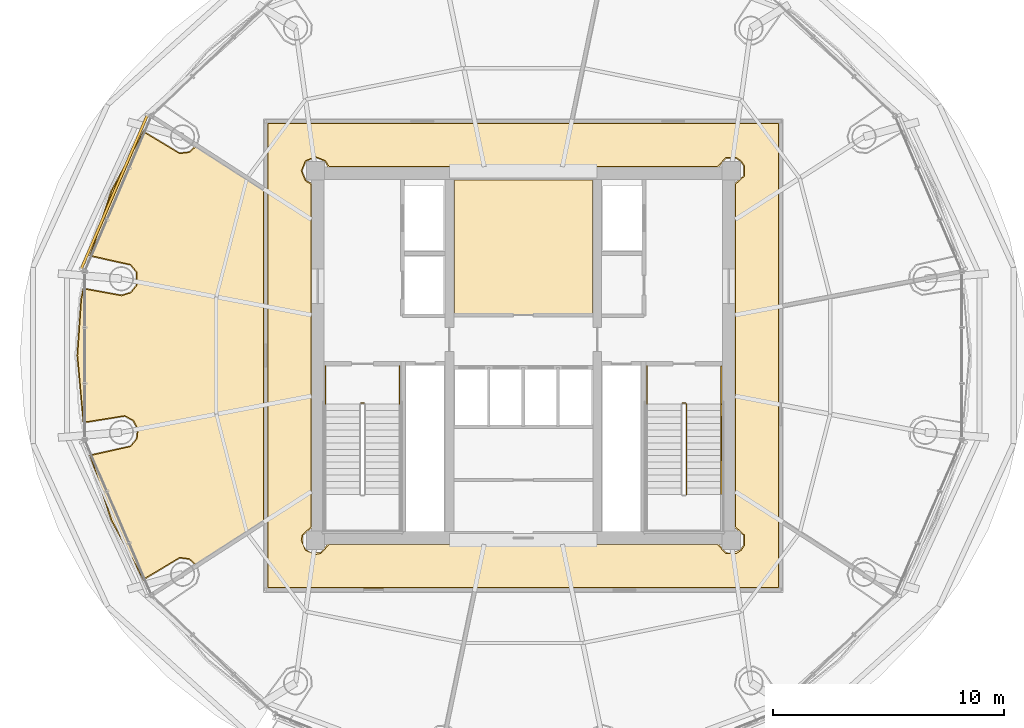
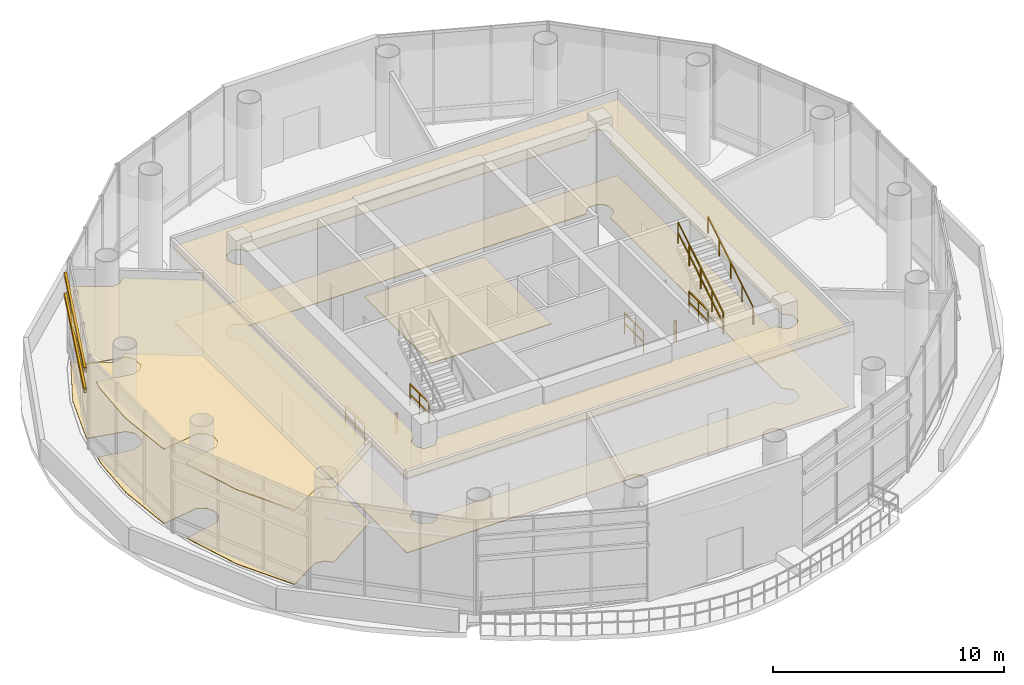
# One storey, part 21 of 22: 8 railings, 5 coverings, 2 shading devices.
"""IFC4 building model written with IfcOpenShell, lengths in metres."""

from ifc_helpers import new_model, si_unit, direction, frame, origin, origin_2d, place, context, subcontext, project, spatial, polyline, rectangle, hollow_rectangle, outline, extrude, source, transform, mapped, material, layer, layer_set, material_profile, profile_set, type_object, element, save


model = new_model("IFC4")

# Units and contexts
model_context = context("Model", 3, precision=1e-05, world=origin(), true_north=direction((-0.2419218956, 0.970295726276)))
body_context = subcontext(model_context, "Body", "Model", "MODEL_VIEW")
ifc_project = project(units=[si_unit("LENGTHUNIT", "METRE"), si_unit("AREAUNIT", "SQUARE_METRE"), si_unit("VOLUMEUNIT", "CUBIC_METRE"), si_unit("PLANEANGLEUNIT", "RADIAN"), si_unit("MASSUNIT", "GRAM", prefix="KILO")], contexts=[model_context])

# Site, building, storey
site_placement = place(None, origin())
site = spatial("IfcSite", under=ifc_project, at=site_placement, CompositionType="ELEMENT")
building_placement = place(site_placement, origin())
building = spatial("IfcBuilding", under=site, at=building_placement, Name="Cobrevalo Terracotta Tower", CompositionType="ELEMENT")
storey_placement = place(building_placement, frame((0.0, 0.0, 243.0)))
storey = spatial("IfcBuildingStorey", under=building, at=storey_placement, Name="L64", CompositionType="ELEMENT", Elevation=243.0)

# Coverings
ifc_material_1 = material(Name="Honed terracotta and granite tile", Category="masonry")
ifc_layer_1 = layer(ifc_material_1, 0.034912109375)
ifc_layer_set_1 = layer_set([ifc_layer_1], Name="Honed terracotta and granite tile")
covering_type_1 = type_object("IfcCoveringType", Name="Honed Terracotta & Granite Interior Flooring 35", PredefinedType="FLOORING", material=ifc_layer_set_1)
covering_1_placement = place(storey_placement, origin())
element("IfcCovering", 1, at=covering_1_placement, inside=storey, type_object=covering_type_1, Name="Floor Electrical Switchroom floor finish", PredefinedType="FLOORING", context=body_context, shape_type="SweptSolid", body=[
    extrude(outline(polyline([(35.010009765625, 34.405029296875), (40.989990234375, 34.405029296875), (40.989990234375, 28.580078125), (35.010009765625, 28.580078125), (35.010009765625, 34.405029296875)])), origin(), (0.0, 0.0, 1.0), 0.030029296875),
])
covering_2_placement = place(storey_placement, origin())
element("IfcCovering", 2, at=covering_2_placement, inside=storey, type_object=covering_type_1, Name="L64 Sky Transfer Concourse floor finish", PredefinedType="FLOORING", context=body_context, shape_type="SweptSolid", body=[
    extrude(outline(polyline([(49.054931640625, 16.7451171875), (26.945068359375, 16.7451171875), (26.945068359375, 36.85498046875), (49.054931640625, 36.85498046875), (49.054931640625, 16.7451171875)]), holes=[polyline([(29.58154296875, 34.9951171875), (29.438720703125, 35.23876953125), (29.0, 35.42041015625), (28.561279296875, 35.23876953125), (28.379638671875, 34.800048828125), (28.561279296875, 34.361328125), (28.804931640625, 34.218505859375), (28.804931640625, 19.381591796875), (28.4267578125, 19.037353515625), (28.379638671875, 18.800048828125), (28.561279296875, 18.361328125), (29.0, 18.1796875), (29.2373046875, 18.226806640625), (29.58154296875, 18.60498046875), (46.41845703125, 18.60498046875), (46.7626953125, 18.226806640625), (47.2373046875, 18.226806640625), (47.438720703125, 18.361328125), (47.5732421875, 18.5625), (47.5732421875, 19.037353515625), (47.195068359375, 19.381591796875), (47.195068359375, 34.218505859375), (47.5732421875, 34.5625), (47.5732421875, 35.037353515625), (47.438720703125, 35.23876953125), (47.2373046875, 35.373291015625), (46.7626953125, 35.373291015625), (46.41845703125, 34.9951171875), (29.58154296875, 34.9951171875)])]), origin(), (0.0, 0.0, 1.0), 0.030029296875),
])
covering_3_placement = place(storey_placement, origin())
element("IfcCovering", 3, at=covering_3_placement, inside=storey, type_object=covering_type_1, Name="L64 Executive Sky Boardroom floor finish", PredefinedType="FLOORING", context=body_context, shape_type="SweptSolid", body=[
    extrude(outline(polyline([(20.1689453125, 19.682373046875), (19.258544921875, 22.4658203125), (20.99755859375, 22.855224609375), (21.272705078125, 23.185302734375), (21.318115234375, 23.612548828125), (21.118408203125, 23.9931640625), (20.740966796875, 24.198486328125), (18.95947265625, 23.915283203125), (18.699951171875, 26.800048828125), (18.865234375, 29.227783203125), (18.95947265625, 29.6845703125), (20.5966796875, 29.38623046875), (21.0068359375, 29.51416015625), (21.27685546875, 29.84814453125), (21.272705078125, 30.41455078125), (20.99755859375, 30.74462890625), (19.258544921875, 31.13427734375), (20.1689453125, 33.917724609375), (21.548828125, 36.4794921875), (23.1103515625, 35.5439453125), (23.537109375, 35.593994140625), (23.864501953125, 35.88037109375), (26.7451171875, 34.025146484375), (26.7451171875, 19.57470703125), (23.864501953125, 17.719482421875), (23.537109375, 18.005859375), (23.1103515625, 18.055908203125), (21.548828125, 17.12060546875), (20.1689453125, 19.682373046875)])), origin(), (0.0, 0.0, 1.0), 0.030029296875),
])
ifc_material_2 = material(Name="Acoustic perforated gypsum ceiling", Category="gypsum")
ifc_layer_2 = layer(ifc_material_2, 0.050048828125)
ifc_layer_set_2 = layer_set([ifc_layer_2], Name="Acoustic perforated gypsum ceiling")
covering_type_2 = type_object("IfcCoveringType", Name="Perforated Acoustic Gypsum Ceiling 50", PredefinedType="CEILING", material=ifc_layer_set_2)
covering_4_placement = place(storey_placement, frame((0.0, 0.0, 3.949951171875)))
element("IfcCovering", 4, at=covering_4_placement, inside=storey, type_object=covering_type_2, Name="L64 Sky Transfer Concourse acoustic ceiling", PredefinedType="CEILING", context=body_context, shape_type="SweptSolid", body=[
    extrude(outline(polyline([(49.10009765625, 16.699951171875), (26.89990234375, 16.699951171875), (26.89990234375, 36.89990234375), (49.10009765625, 36.89990234375), (49.10009765625, 16.699951171875)]), holes=[polyline([(29.544677734375, 34.949951171875), (29.40625, 35.206298828125), (29.0, 35.37451171875), (28.59375, 35.206298828125), (28.425537109375, 34.800048828125), (28.59375, 34.393798828125), (28.85009765625, 34.25537109375), (28.85009765625, 19.3447265625), (28.46923828125, 19.019775390625), (28.46923828125, 18.580078125), (28.59375, 18.393798828125), (28.780029296875, 18.269287109375), (29.219970703125, 18.269287109375), (29.544677734375, 18.64990234375), (46.455322265625, 18.64990234375), (46.780029296875, 18.269287109375), (47.0, 18.2255859375), (47.40625, 18.393798828125), (47.53076171875, 18.580078125), (47.53076171875, 19.019775390625), (47.14990234375, 19.3447265625), (47.14990234375, 34.25537109375), (47.53076171875, 34.580078125), (47.53076171875, 35.019775390625), (47.40625, 35.206298828125), (47.219970703125, 35.330810546875), (46.780029296875, 35.330810546875), (46.455322265625, 34.949951171875), (29.544677734375, 34.949951171875)])]), origin(), (0.0, 0.0, 1.0), 0.050048828125),
])
covering_5_placement = place(storey_placement, frame((0.0, 0.0, 3.949951171875)))
element("IfcCovering", 5, at=covering_5_placement, inside=storey, type_object=covering_type_2, Name="L64 Executive Sky Boardroom acoustic ceiling", PredefinedType="CEILING", context=body_context, shape_type="SweptSolid", body=[
    extrude(outline(polyline([(20.127685546875, 19.66455078125), (19.205322265625, 22.50146484375), (20.97265625, 22.89306640625), (21.23095703125, 23.202880859375), (21.273681640625, 23.60400390625), (21.086181640625, 23.96142578125), (20.731689453125, 24.154296875), (18.92431640625, 23.86279296875), (18.655029296875, 26.800048828125), (18.820556640625, 29.23388671875), (18.92431640625, 29.737060546875), (20.59619140625, 29.431396484375), (20.9814453125, 29.551513671875), (21.235107421875, 29.865234375), (21.23095703125, 30.39697265625), (20.97265625, 30.70703125), (19.205322265625, 31.0986328125), (20.127685546875, 33.935546875), (21.53662109375, 36.540771484375), (23.118408203125, 35.588623046875), (23.51904296875, 35.635498046875), (23.853271484375, 35.941162109375), (26.7900390625, 34.0498046875), (26.7900390625, 19.55029296875), (23.853271484375, 17.658935546875), (23.51904296875, 17.964599609375), (23.118408203125, 18.011474609375), (21.53662109375, 17.05908203125), (20.127685546875, 19.66455078125)])), origin(), (0.0, 0.0, 1.0), 0.050048828125),
])

# Railings
ifc_material_3 = material(Name="Brushed stainless steel", Category="steel")
railing_type_1 = type_object("IfcRailingType", Name="Stainless Steel Stair Handrail 900", PredefinedType="HANDRAIL", material=ifc_material_3)
railing_1_placement = place(storey_placement, frame((46.574951171875, 20.780029296875, 2.7734375)))
element("IfcRailing", 6, at=railing_1_placement, inside=storey, type_object=railing_type_1, Name="L64 ST-2 stair handrail 2", PredefinedType="HANDRAIL", context=body_context, shape_type="SweptSolid", body=[
    extrude(rectangle(XDim=0.048095703125, YDim=0.048095703125, at=origin_2d()), frame((0.0, 0.0, 0.8759765625), z_axis=(0.0, 0.850275303828, 0.526338206574), x_axis=(-1.0, 0.0, 0.0)), (0.0, 0.0, 1.0), 4.610107421875),
    extrude(rectangle(XDim=0.0419921875, YDim=0.0419921875, at=origin_2d()), origin(), (0.0, 0.0, 1.0), 0.851806640625),
    extrude(rectangle(XDim=0.0419921875, YDim=0.0419921875, at=origin_2d()), frame((0.0, 0.97998046875, 0.606689453125)), (0.0, 0.0, 1.0), 0.851806640625),
    extrude(rectangle(XDim=0.0419921875, YDim=0.0419921875, at=origin_2d()), frame((0.0, 1.9599609375, 1.21337890625)), (0.0, 0.0, 1.0), 0.851806640625),
    extrude(rectangle(XDim=0.0419921875, YDim=0.0419921875, at=origin_2d()), frame((0.0, 2.93994140625, 1.81982421875)), (0.0, 0.0, 1.0), 0.851806640625),
    extrude(rectangle(XDim=0.0419921875, YDim=0.0419921875, at=origin_2d()), frame((0.0, 3.919921875, 2.426513671875)), (0.0, 0.0, 1.0), 0.851806640625),
])
ifc_material_4 = material(Name="Painted galvanized steel", Category="steel")
railing_type_2 = type_object("IfcRailingType", Name="Stair Well Guard Balustrade 1150", PredefinedType="GUARDRAIL", material=ifc_material_4)
railing_2_placement = place(storey_placement, frame((30.97509765625, 24.75, 0.0)))
element("IfcRailing", 7, at=railing_2_placement, inside=storey, type_object=railing_type_2, Name="L64 ST-1 stair guard 7", PredefinedType="GUARDRAIL", context=body_context, shape_type="SweptSolid", body=[
    extrude(rectangle(XDim=0.048095703125, YDim=0.048095703125, at=origin_2d()), frame((0.0, 0.0, 1.1259765625), z_axis=(1.0, 0.0, 0.0), x_axis=(0.0, 1.0, 0.0)), (0.0, 0.0, 1.0), 0.119873046875),
    extrude(rectangle(XDim=0.048095703125, YDim=0.048095703125, at=origin_2d()), frame((0.0, 0.0, 0.574951171875), z_axis=(1.0, 0.0, 0.0), x_axis=(0.0, 1.0, 0.0)), (0.0, 0.0, 1.0), 0.119873046875),
    extrude(rectangle(XDim=0.0419921875, YDim=0.0419921875, at=origin_2d()), origin(), (0.0, 0.0, 1.0), 1.101806640625),
    extrude(rectangle(XDim=0.0419921875, YDim=0.0419921875, at=origin_2d()), frame((0.119873046875, 0.0, 0.0)), (0.0, 0.0, 1.0), 1.101806640625),
])
for number, where, name in (
    (8, (29.425048828125, 26.35009765625, 0.0), "L64 ST-1 stair guard 8"),
    (9, (32.64501953125, 26.35009765625, 0.0), "L64 ST-1 stair guard 9"),
):
    element("IfcRailing", number, at=place(storey_placement, frame(where)), inside=storey, type_object=railing_type_2, Name=name, PredefinedType="GUARDRAIL", context=body_context, shape_type="SweptSolid", body=[
        extrude(rectangle(XDim=0.048095703125, YDim=0.048095703125, at=origin_2d()), frame((0.0, 0.0, 1.1259765625), z_axis=(0.0, -1.0, 0.0), x_axis=(1.0, 0.0, 0.0)), (0.0, 0.0, 1.0), 1.650146484375),
        extrude(rectangle(XDim=0.048095703125, YDim=0.048095703125, at=origin_2d()), frame((0.0, 0.0, 0.574951171875), z_axis=(0.0, -1.0, 0.0), x_axis=(1.0, 0.0, 0.0)), (0.0, 0.0, 1.0), 1.650146484375),
        extrude(rectangle(XDim=0.0419921875, YDim=0.0419921875, at=origin_2d()), origin(), (0.0, 0.0, 1.0), 1.101806640625),
        extrude(rectangle(XDim=0.0419921875, YDim=0.0419921875, at=origin_2d()), frame((0.0, -0.8251953125, 0.0)), (0.0, 0.0, 1.0), 1.101806640625),
        extrude(rectangle(XDim=0.0419921875, YDim=0.0419921875, at=origin_2d()), frame((0.0, -1.650146484375, 0.0)), (0.0, 0.0, 1.0), 1.101806640625),
    ])
railing_3_placement = place(storey_placement, frame((45.074951171875, 20.780029296875, 2.7734375)))
element("IfcRailing", 10, at=railing_3_placement, inside=storey, type_object=railing_type_2, Name="L64 ST-2 stair guard 6", PredefinedType="GUARDRAIL", context=body_context, shape_type="SweptSolid", body=[
    extrude(rectangle(XDim=0.048095703125, YDim=0.048095703125, at=origin_2d()), frame((0.0, 0.0, 1.1259765625), z_axis=(0.0, 0.850275303828, 0.526338206574), x_axis=(-1.0, 0.0, 0.0)), (0.0, 0.0, 1.0), 4.610107421875),
    extrude(rectangle(XDim=0.048095703125, YDim=0.048095703125, at=origin_2d()), frame((0.0, 0.0, 0.574951171875), z_axis=(0.0, 0.850275303828, 0.526338206574), x_axis=(-1.0, 0.0, 0.0)), (0.0, 0.0, 1.0), 4.610107421875),
    extrude(rectangle(XDim=0.0419921875, YDim=0.0419921875, at=origin_2d()), origin(), (0.0, 0.0, 1.0), 1.101806640625),
    extrude(rectangle(XDim=0.0419921875, YDim=0.0419921875, at=origin_2d()), frame((0.0, 0.97998046875, 0.606689453125)), (0.0, 0.0, 1.0), 1.101806640625),
    extrude(rectangle(XDim=0.0419921875, YDim=0.0419921875, at=origin_2d()), frame((0.0, 1.9599609375, 1.21337890625)), (0.0, 0.0, 1.0), 1.101806640625),
    extrude(rectangle(XDim=0.0419921875, YDim=0.0419921875, at=origin_2d()), frame((0.0, 2.93994140625, 1.81982421875)), (0.0, 0.0, 1.0), 1.101806640625),
    extrude(rectangle(XDim=0.0419921875, YDim=0.0419921875, at=origin_2d()), frame((0.0, 3.919921875, 2.426513671875)), (0.0, 0.0, 1.0), 1.101806640625),
])
railing_4_placement = place(storey_placement, frame((44.905029296875, 24.75, 0.0)))
element("IfcRailing", 11, at=railing_4_placement, inside=storey, type_object=railing_type_2, Name="L64 ST-2 stair guard 7", PredefinedType="GUARDRAIL", context=body_context, shape_type="SweptSolid", body=[
    extrude(rectangle(XDim=0.048095703125, YDim=0.048095703125, at=origin_2d()), frame((0.0, 0.0, 1.1259765625), z_axis=(1.0, 0.0, 0.0), x_axis=(0.0, 1.0, 0.0)), (0.0, 0.0, 1.0), 0.119873046875),
    extrude(rectangle(XDim=0.048095703125, YDim=0.048095703125, at=origin_2d()), frame((0.0, 0.0, 0.574951171875), z_axis=(1.0, 0.0, 0.0), x_axis=(0.0, 1.0, 0.0)), (0.0, 0.0, 1.0), 0.119873046875),
    extrude(rectangle(XDim=0.0419921875, YDim=0.0419921875, at=origin_2d()), origin(), (0.0, 0.0, 1.0), 1.101806640625),
    extrude(rectangle(XDim=0.0419921875, YDim=0.0419921875, at=origin_2d()), frame((0.119873046875, 0.0, 0.0)), (0.0, 0.0, 1.0), 1.101806640625),
])
for number, where, name in (
    (12, (43.35498046875, 26.35009765625, 0.0), "L64 ST-2 stair guard 8"),
    (13, (46.574951171875, 26.35009765625, 0.0), "L64 ST-2 stair guard 9"),
):
    element("IfcRailing", number, at=place(storey_placement, frame(where)), inside=storey, type_object=railing_type_2, Name=name, PredefinedType="GUARDRAIL", context=body_context, shape_type="SweptSolid", body=[
        extrude(rectangle(XDim=0.048095703125, YDim=0.048095703125, at=origin_2d()), frame((0.0, 0.0, 1.1259765625), z_axis=(0.0, -1.0, 0.0), x_axis=(1.0, 0.0, 0.0)), (0.0, 0.0, 1.0), 1.650146484375),
        extrude(rectangle(XDim=0.048095703125, YDim=0.048095703125, at=origin_2d()), frame((0.0, 0.0, 0.574951171875), z_axis=(0.0, -1.0, 0.0), x_axis=(1.0, 0.0, 0.0)), (0.0, 0.0, 1.0), 1.650146484375),
        extrude(rectangle(XDim=0.0419921875, YDim=0.0419921875, at=origin_2d()), origin(), (0.0, 0.0, 1.0), 1.101806640625),
        extrude(rectangle(XDim=0.0419921875, YDim=0.0419921875, at=origin_2d()), frame((0.0, -0.8251953125, 0.0)), (0.0, 0.0, 1.0), 1.101806640625),
        extrude(rectangle(XDim=0.0419921875, YDim=0.0419921875, at=origin_2d()), frame((0.0, -1.650146484375, 0.0)), (0.0, 0.0, 1.0), 1.101806640625),
    ])

# Shading devices
ifc_material_5 = material(Name="Extruded fired architectural terracotta", Category="masonry")
ifc_material_profile = material_profile(ifc_material_5, hollow_rectangle(XDim=0.110107421875, YDim=0.239990234375, WallThickness=0.01806640625, at=origin_2d()), Name="BAGUETTE 110x240")
ifc_profile_set = profile_set([ifc_material_profile], Name="Extruded fired architectural terracotta")
shading_device_type = type_object("IfcShadingDeviceType", Name="Horizontal Terracotta Baguette Screen 110x240", PredefinedType="USERDEFINED", material=ifc_profile_set)
shared_shape = source(origin(), body_context, "Body", "SweptSolid", [
    extrude(hollow_rectangle(XDim=0.110107421875, YDim=0.239990234375, WallThickness=0.01806640625, at=origin_2d()), origin(), (0.0, 0.0, 1.0), 7.245361328125),
])
for number, where, z_axis, x_axis, name in (
    (14, (21.71337890625, 37.206787109375, 3.062744140625), (-0.394846311088, -0.918747185367, 0.0), (0.918747185367, -0.394846311088, 0.0), "CW-SK-L64-S07 horizontal terracotta baguette 1"),
    (15, (21.71337890625, 37.206787109375, 4.149658203125), (-0.394846311088, -0.918747185367, 0.0), (0.918747185367, -0.394846311088, 0.0), "CW-SK-L64-S07 horizontal terracotta baguette 2"),
):
    element("IfcShadingDevice", number, at=place(storey_placement, frame(where, z_axis=z_axis, x_axis=x_axis)), inside=storey, type_object=shading_device_type, Name=name, ObjectType="BAGUETTE", PredefinedType="USERDEFINED", context=body_context, shape_type="MappedRepresentation", body=[
        mapped(shared_shape, transform((0.0, 0.0, 0.0), scale=1.0)),
    ])

save(model, "model.ifc")
